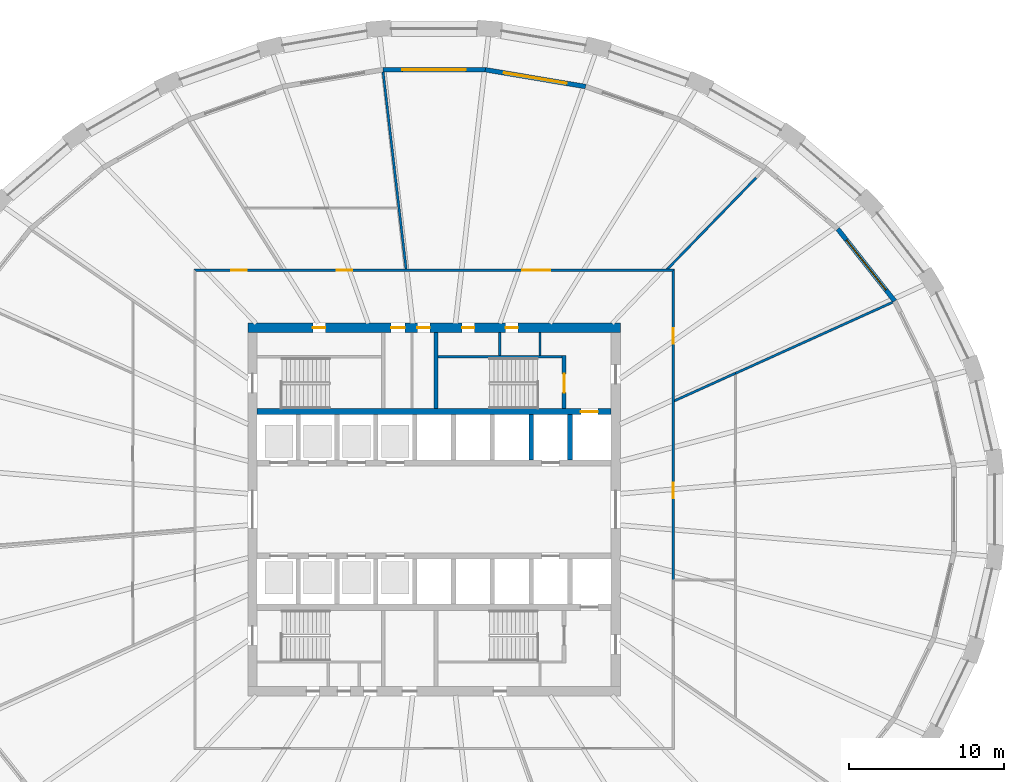
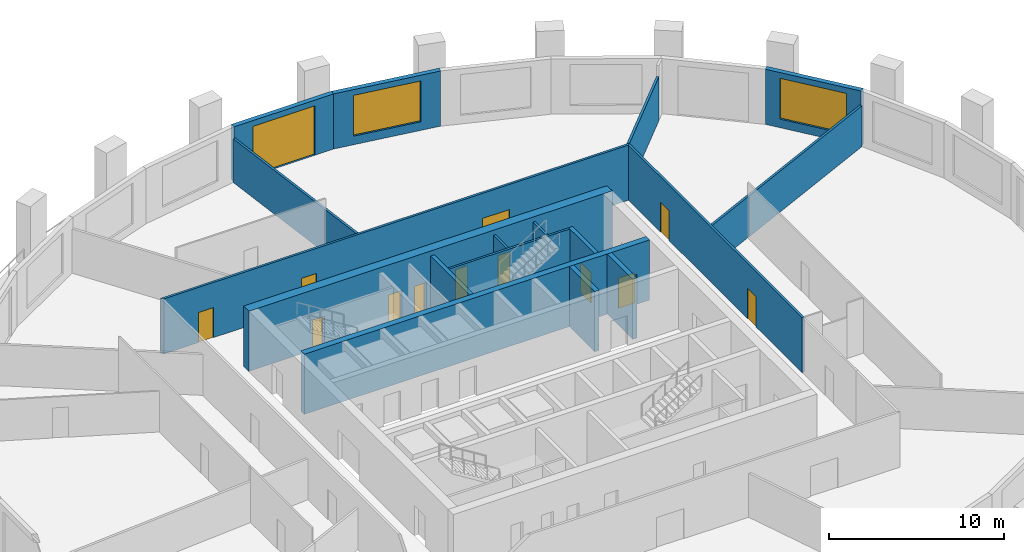
# One storey, part 6 of 10: 18 walls, 13 doors, 2 windows, 15 openings.
"""IFC4 building model written with IfcOpenShell, lengths in metres."""

from ifc_helpers import new_model, si_unit, direction, frame, frame_2d, origin, place, context, subcontext, project, spatial, polyline, rectangle, outline, extrude, material, layer, layer_set, type_object, element, fill, save


model = new_model("IFC4")

# Units and contexts
model_context = context("Model", 3, precision=1e-05, world=origin(), true_north=direction((0.0, 1.0)))
body_context = subcontext(model_context, "Body", "Model", "MODEL_VIEW")
ifc_project = project(units=[si_unit("LENGTHUNIT", "METRE"), si_unit("AREAUNIT", "SQUARE_METRE"), si_unit("VOLUMEUNIT", "CUBIC_METRE"), si_unit("PLANEANGLEUNIT", "RADIAN"), si_unit("MASSUNIT", "GRAM", prefix="KILO")], contexts=[model_context])

# Site, building, storey
site_placement = place(None, origin())
site = spatial("IfcSite", under=ifc_project, at=site_placement, CompositionType="ELEMENT")
building_placement = place(site_placement, origin())
building = spatial("IfcBuilding", under=site, at=building_placement, Name="Halqa Exchange Tower", CompositionType="ELEMENT")
storey_placement = place(building_placement, frame((0.0, 0.0, 94.89990234375)))
storey = spatial("IfcBuildingStorey", under=building, at=storey_placement, Name="L21", CompositionType="ELEMENT", Elevation=94.89990234375)

# Wall, openings, doors
ifc_material_1 = material(Name="Fire-rated gypsum board")
ifc_layer_1 = layer(ifc_material_1, 0.14990234375)
ifc_layer_set_1 = layer_set([ifc_layer_1], Name="Fire-rated gypsum board")
wall_type_1 = type_object("IfcWallType", Name="Fire partition EI 60 150", PredefinedType="PARTITIONING", material=ifc_layer_set_1)
wall_1_placement = place(storey_placement, frame((-15.47509765625, 15.39990234375, 0.0), z_axis=(0.0, 0.0, 1.0), x_axis=(1.0, 0.0, 0.0)))
wall_1 = element("IfcWall", 1, at=wall_1_placement, inside=storey, type_object=wall_type_1, Name="L21-PWL-011", PredefinedType="PARTITIONING", context=body_context, shape_type="SweptSolid", body=[
    extrude(outline(polyline([(0.150146484375, -0.074951171875), (2.065673828125, -0.074951171875), (3.9814453125, -0.074951171875), (5.89697265625, -0.074951171875), (7.8125, -0.074951171875), (9.728271484375, -0.074951171875), (11.643798828125, -0.074951171875), (13.5595703125, -0.074951171875), (15.47509765625, -0.074951171875), (17.390625, -0.074951171875), (19.306396484375, -0.074951171875), (21.221923828125, -0.074951171875), (23.1376953125, -0.074951171875), (25.05322265625, -0.074951171875), (26.96875, -0.074951171875), (28.884521484375, -0.074951171875), (30.800048828125, -0.074951171875), (30.949951171875, 0.074951171875), (29.015625, 0.074951171875), (27.081298828125, 0.074951171875), (25.14697265625, 0.074951171875), (23.21240234375, 0.074951171875), (21.278076171875, 0.074951171875), (19.34375, 0.074951171875), (17.409423828125, 0.074951171875), (15.47509765625, 0.074951171875), (13.540771484375, 0.074951171875), (11.6064453125, 0.074951171875), (9.672119140625, 0.074951171875), (7.73779296875, 0.074951171875), (5.80322265625, 0.074951171875), (3.868896484375, 0.074951171875), (1.9345703125, 0.074951171875), (0.000244140625, 0.074951171875), (0.150146484375, -0.074951171875)])), origin(), (0.0, 0.0, 1.0), 3.85009765625),
])
opening_1_placement = place(wall_1_placement, frame((21.155029296875, 0.0, 0.0)))
opening_1 = element("IfcOpeningElement", 2, at=opening_1_placement, cuts=wall_1, Name="Opening 06-04", PredefinedType="OPENING", context=body_context, shape_type="SweptSolid", body=[
    extrude(rectangle(XDim=1.800048828125, YDim=2.10009765625, at=frame_2d((0.89990234375, 1.050048828125))), frame((0.0, 0.0869140625, 0.0), z_axis=(0.0, -1.0, 0.0), x_axis=(1.0, 0.0, 0.0)), (0.0, 0.0, 1.0), 0.173828125),
])
opening_2_placement = place(wall_1_placement, frame((9.2099609375, 0.0, 0.0)))
opening_2 = element("IfcOpeningElement", 3, at=opening_2_placement, cuts=wall_1, Name="Opening 06-05", PredefinedType="OPENING", context=body_context, shape_type="SweptSolid", body=[
    extrude(rectangle(XDim=1.0, YDim=2.10009765625, at=frame_2d((0.5, 1.050048828125))), frame((0.0, 0.0869140625, 0.0), z_axis=(0.0, -1.0, 0.0), x_axis=(1.0, 0.0, 0.0)), (0.0, 0.0, 1.0), 0.173828125),
])
opening_3_placement = place(wall_1_placement, frame((2.405029296875, 0.0, 0.0)))
opening_3 = element("IfcOpeningElement", 4, at=opening_3_placement, cuts=wall_1, Name="Opening 06-06", PredefinedType="OPENING", context=body_context, shape_type="SweptSolid", body=[
    extrude(rectangle(XDim=1.0, YDim=2.10009765625, at=frame_2d((0.5, 1.050048828125))), frame((0.0, 0.0869140625, 0.0), z_axis=(0.0, -1.0, 0.0), x_axis=(1.0, 0.0, 0.0)), (0.0, 0.0, 1.0), 0.173828125),
])
ifc_material_2 = material(Name="Steel fire door leaf", Category="steel")
door_type_1 = type_object("IfcDoorType", Name="Fire door FD30S 1000 x 2100", OperationType="SINGLE_SWING_LEFT", PredefinedType="DOOR", material=ifc_material_2)
door_1_placement = place(opening_2_placement, origin())
door_1 = element("IfcDoor", 5, at=door_1_placement, inside=storey, type_object=door_type_1, Name="L21-IDR-005", OperationType="SINGLE_SWING_LEFT", OverallHeight=2.10009765625, OverallWidth=1.0, PredefinedType="DOOR", context=body_context, shape_type="SweptSolid", body=[
    extrude(rectangle(XDim=1.0, YDim=2.10009765625, at=frame_2d((0.5, 1.050048828125))), frame((0.0, 0.02490234375, 0.0), z_axis=(0.0, -1.0, 0.0), x_axis=(1.0, 0.0, 0.0)), (0.0, 0.0, 1.0), 0.050048828125),
])
fill(opening_2, door_1)
door_2_placement = place(opening_3_placement, origin())
door_2 = element("IfcDoor", 6, at=door_2_placement, inside=storey, type_object=door_type_1, Name="L21-IDR-006", OperationType="SINGLE_SWING_LEFT", OverallHeight=2.10009765625, OverallWidth=1.0, PredefinedType="DOOR", context=body_context, shape_type="SweptSolid", body=[
    extrude(rectangle(XDim=1.0, YDim=2.10009765625, at=frame_2d((0.5, 1.050048828125))), frame((0.0, 0.02490234375, 0.0), z_axis=(0.0, -1.0, 0.0), x_axis=(1.0, 0.0, 0.0)), (0.0, 0.0, 1.0), 0.050048828125),
])
fill(opening_3, door_2)
door_type_2 = type_object("IfcDoorType", Name="Fire door FD30S double 1800 x 2100", OperationType="DOUBLE_DOOR_SINGLE_SWING", PredefinedType="DOOR", material=ifc_material_2)
door_3_placement = place(opening_1_placement, origin())
door_3 = element("IfcDoor", 7, at=door_3_placement, inside=storey, type_object=door_type_2, Name="L21-IDR-004", OperationType="DOUBLE_DOOR_SINGLE_SWING", OverallHeight=2.10009765625, OverallWidth=1.800048828125, PredefinedType="DOOR", context=body_context, shape_type="SweptSolid", body=[
    extrude(rectangle(XDim=1.800048828125, YDim=2.10009765625, at=frame_2d((0.89990234375, 1.050048828125))), frame((0.0, 0.02490234375, 0.0), z_axis=(0.0, -1.0, 0.0), x_axis=(1.0, 0.0, 0.0)), (0.0, 0.0, 1.0), 0.050048828125),
])
fill(opening_1, door_3)

# Walls
wall_2_placement = place(storey_placement, frame((-3.2841796875, 28.16455078125, 0.0), z_axis=(0.0, 0.0, 1.0), x_axis=(0.116072244208, -0.993240773491, 0.0)))
element("IfcWall", 8, at=wall_2_placement, inside=storey, type_object=wall_type_1, Name="L21-PWL-013", PredefinedType="PARTITIONING", context=body_context, shape_type="SweptSolid", body=[
    extrude(outline(polyline([(0.0, -0.074951171875), (1.7529296875, -0.074951171875), (3.506103515625, -0.074951171875), (5.259033203125, -0.074951171875), (7.011962890625, -0.074951171875), (8.76513671875, -0.074951171875), (8.766357421875, -0.063720703125), (8.86181640625, -0.074951171875), (10.814453125, -0.074951171875), (12.76708984375, -0.074951171875), (12.7841796875, 0.07080078125), (12.7841796875, 0.074951171875), (10.95849609375, 0.074951171875), (9.1328125, 0.074951171875), (7.30712890625, 0.074951171875), (5.4814453125, 0.074951171875), (3.65576171875, 0.074951171875), (1.830078125, 0.074951171875), (0.00439453125, 0.074951171875), (0.0, 0.038330078125), (0.0, -0.074951171875)])), origin(), (0.0, 0.0, 1.0), 3.050048828125),
])
wall_3_placement = place(storey_placement, frame((14.972412109375, 15.423095703125, 0.0), z_axis=(0.0, 0.0, 1.0), x_axis=(0.696854208529, 0.717212808067, 0.0)))
element("IfcWall", 9, at=wall_3_placement, inside=storey, type_object=wall_type_1, Name="L21-PWL-015", PredefinedType="PARTITIONING", context=body_context, shape_type="SweptSolid", body=[
    extrude(outline(polyline([(0.0, 0.074951171875), (0.0, 0.074462890625), (0.145263671875, -0.074951171875), (1.77099609375, -0.074951171875), (3.39697265625, -0.074951171875), (5.022705078125, -0.074951171875), (6.648681640625, -0.074951171875), (8.2744140625, -0.074951171875), (8.2744140625, 0.074951171875), (6.61962890625, 0.074951171875), (4.964599609375, 0.074951171875), (3.309814453125, 0.074951171875), (1.65478515625, 0.074951171875), (0.0, 0.074951171875)])), origin(), (0.0, 0.0, 1.0), 3.080078125),
])

# Wall, openings, doors
wall_4_placement = place(storey_placement, frame((15.39990234375, -4.5400390625, 0.0), z_axis=(0.0, 0.0, 1.0), x_axis=(0.0, 1.0, 0.0)))
wall_4 = element("IfcWall", 10, at=wall_4_placement, inside=storey, type_object=wall_type_1, Name="L21-PWL-019", PredefinedType="PARTITIONING", context=body_context, shape_type="SweptSolid", body=[
    extrude(outline(polyline([(0.0, -0.074951171875), (1.819580078125, -0.074951171875), (3.63916015625, -0.074951171875), (5.45849609375, -0.074951171875), (7.278076171875, -0.074951171875), (9.09765625, -0.074951171875), (10.917236328125, -0.074951171875), (12.73681640625, -0.074951171875), (14.556396484375, -0.074951171875), (16.375732421875, -0.074951171875), (18.1953125, -0.074951171875), (20.014892578125, -0.074951171875), (19.864990234375, 0.074951171875), (17.87841796875, 0.074951171875), (15.89208984375, 0.074951171875), (13.905517578125, 0.074951171875), (11.9189453125, 0.074951171875), (9.9326171875, 0.074951171875), (7.946044921875, 0.074951171875), (5.95947265625, 0.074951171875), (3.972900390625, 0.074951171875), (1.986572265625, 0.074951171875), (0.0, 0.074951171875), (0.0, -0.074951171875)])), origin(), (0.0, 0.0, 1.0), 3.85009765625),
])
opening_4_placement = place(wall_4_placement, frame((5.25, 0.0, 0.0)))
opening_4 = element("IfcOpeningElement", 11, at=opening_4_placement, cuts=wall_4, Name="Opening 06-02", PredefinedType="OPENING", context=body_context, shape_type="SweptSolid", body=[
    extrude(rectangle(XDim=1.0, YDim=2.10009765625, at=frame_2d((0.5, 1.050048828125))), frame((0.0, 0.0869140625, 0.0), z_axis=(0.0, -1.0, 0.0), x_axis=(1.0, 0.0, 0.0)), (0.0, 0.0, 1.0), 0.173828125),
])
opening_5_placement = place(wall_4_placement, frame((15.219970703125, 0.0, 0.0)))
opening_5 = element("IfcOpeningElement", 12, at=opening_5_placement, cuts=wall_4, Name="Opening 06-03", PredefinedType="OPENING", context=body_context, shape_type="SweptSolid", body=[
    extrude(rectangle(XDim=1.0, YDim=2.10009765625, at=frame_2d((0.5, 1.050048828125))), frame((0.0, 0.0869140625, 0.0), z_axis=(0.0, -1.0, 0.0), x_axis=(1.0, 0.0, 0.0)), (0.0, 0.0, 1.0), 0.173828125),
])
door_4_placement = place(opening_4_placement, frame((1.0, 0.0, 0.0), z_axis=(0.0, 0.0, 1.0), x_axis=(-1.0, 0.0, 0.0)))
door_4 = element("IfcDoor", 13, at=door_4_placement, inside=storey, type_object=door_type_1, Name="L21-IDR-002", OperationType="SINGLE_SWING_LEFT", OverallHeight=2.10009765625, OverallWidth=1.0, PredefinedType="DOOR", context=body_context, shape_type="SweptSolid", body=[
    extrude(rectangle(XDim=1.0, YDim=2.10009765625, at=frame_2d((0.5, 1.050048828125))), frame((0.0, 0.02490234375, 0.0), z_axis=(0.0, -1.0, 0.0), x_axis=(1.0, 0.0, 0.0)), (0.0, 0.0, 1.0), 0.050048828125),
])
fill(opening_4, door_4)
door_5_placement = place(opening_5_placement, frame((1.0, 0.0, 0.0), z_axis=(0.0, 0.0, 1.0), x_axis=(-1.0, 0.0, 0.0)))
door_5 = element("IfcDoor", 14, at=door_5_placement, inside=storey, type_object=door_type_1, Name="L21-IDR-003", OperationType="SINGLE_SWING_LEFT", OverallHeight=2.10009765625, OverallWidth=1.0, PredefinedType="DOOR", context=body_context, shape_type="SweptSolid", body=[
    extrude(rectangle(XDim=1.0, YDim=2.10009765625, at=frame_2d((0.5, 1.050048828125))), frame((0.0, 0.02490234375, 0.0), z_axis=(0.0, -1.0, 0.0), x_axis=(1.0, 0.0, 0.0)), (0.0, 0.0, 1.0), 0.050048828125),
])
fill(opening_5, door_5)

# Walls
wall_5_placement = place(storey_placement, frame((15.444091796875, 6.97998046875, 0.0), z_axis=(0.0, 0.0, 1.0), x_axis=(0.911064178848, 0.412264553436, 0.0)))
element("IfcWall", 15, at=wall_5_placement, inside=storey, type_object=wall_type_1, Name="L21-PWL-021", PredefinedType="PARTITIONING", context=body_context, shape_type="SweptSolid", body=[
    extrude(outline(polyline([(0.0, -0.074951171875), (1.417724609375, -0.074951171875), (2.83544921875, -0.074951171875), (4.253173828125, -0.074951171875), (4.254150390625, -0.07275390625), (4.259033203125, -0.074951171875), (4.342041015625, -0.074951171875), (4.342041015625, 0.074951171875), (2.917236328125, 0.074951171875), (1.49267578125, 0.074951171875), (0.06787109375, 0.074951171875), (0.0, -0.074951171875)])), origin(), (0.0, 0.0, 1.0), 2.85009765625),
])
wall_6_placement = place(storey_placement, frame((19.404052734375, 8.761962890625, 0.0), z_axis=(0.0, 0.0, 1.0), x_axis=(0.911089862884, 0.41220778953, 0.0)))
element("IfcWall", 16, at=wall_6_placement, inside=storey, type_object=wall_type_1, Name="L21-PWL-023", PredefinedType="PARTITIONING", context=body_context, shape_type="SweptSolid", body=[
    extrude(outline(polyline([(11.12060546875, -0.074951171875), (11.12060546875, -0.0673828125), (11.11865234375, -0.00244140625), (11.099365234375, 0.074951171875), (9.24951171875, 0.074951171875), (7.399658203125, 0.074951171875), (5.549560546875, 0.074951171875), (3.69970703125, 0.074951171875), (1.849853515625, 0.074951171875), (0.0, 0.074951171875), (0.0, -0.068115234375), (0.015380859375, -0.074951171875), (1.8662109375, -0.074951171875), (3.717041015625, -0.074951171875), (5.56787109375, -0.074951171875), (7.4189453125, -0.074951171875), (9.269775390625, -0.074951171875), (11.12060546875, -0.074951171875)])), origin(), (0.0, 0.0, 1.0), 2.85009765625),
])
ifc_material_3 = material(Name="Gypsum board")
ifc_layer_2 = layer(ifc_material_3, 0.14990234375)
ifc_layer_set_2 = layer_set([ifc_layer_2], Name="Gypsum board")
wall_type_2 = type_object("IfcWallType", Name="Penthouse riser wall 150 gypsum", PredefinedType="PARTITIONING", material=ifc_layer_set_2)
for number, where, z_axis, x_axis, name in (
    (17, (4.22509765625, 9.89990234375, 0.0), (0.0, 0.0, 1.0), (0.0, 1.0, 0.0), "Partition E4.225 N"),
    (18, (6.824951171875, 9.89990234375, 0.0), (0.0, 0.0, 1.0), (0.0, 1.0, 0.0), "Firefighting lobby west wall N"),
):
    element("IfcWall", number, at=place(storey_placement, frame(where, z_axis=z_axis, x_axis=x_axis)), inside=storey, type_object=wall_type_2, Name=name, PredefinedType="PARTITIONING", context=body_context, shape_type="SweptSolid", body=[
        extrude(rectangle(XDim=1.5, YDim=0.14990234375, at=frame_2d((0.75, 0.0))), origin(), (0.0, 0.0, 1.0), 3.85009765625),
    ])
ifc_material_4 = material(Name="Concrete C60/75", Category="concrete")
ifc_layer_3 = layer(ifc_material_4, 0.300048828125)
ifc_layer_set_3 = layer_set([ifc_layer_3], Name="Concrete C60/75")
wall_type_3 = type_object("IfcWallType", Name="RC core wall 300", PredefinedType="SHEAR", material=ifc_layer_set_3)
for number, where, z_axis, x_axis, name in (
    (19, (6.25, 3.199951171875, 0.0), (0.0, 0.0, 1.0), (0.0, 1.0, 0.0), "Shaft divider N7"),
    (20, (8.75, 3.199951171875, 0.0), (0.0, 0.0, 1.0), (0.0, 1.0, 0.0), "Shaft divider N8"),
):
    element("IfcWall", number, at=place(storey_placement, frame(where, z_axis=z_axis, x_axis=x_axis)), inside=storey, type_object=wall_type_3, Name=name, PredefinedType="SHEAR", context=body_context, shape_type="SweptSolid", body=[
        extrude(rectangle(XDim=2.900146484375, YDim=0.300048828125, at=frame_2d((1.4501953125, 0.0))), origin(), (0.0, 0.0, 1.0), 4.2001953125),
    ])

# Wall, opening, door
ifc_material_5 = material(Name="Concrete C80/95", Category="concrete")
ifc_layer_4 = layer(ifc_material_5, 0.39990234375)
ifc_layer_set_4 = layer_set([ifc_layer_4], Name="Concrete C80/95")
wall_type_4 = type_object("IfcWallType", Name="RC core wall 400 C80/95", PredefinedType="SHEAR", material=ifc_layer_set_4)
wall_7_placement = place(storey_placement, frame((-11.39990234375, 6.300048828125, 0.0), z_axis=(0.0, 0.0, 1.0), x_axis=(1.0, 0.0, 0.0)))
wall_7 = element("IfcWall", 21, at=wall_7_placement, inside=storey, type_object=wall_type_4, Name="Lift row back wall N", PredefinedType="SHEAR", context=body_context, shape_type="SweptSolid", body=[
    extrude(rectangle(XDim=22.7998046875, YDim=0.39990234375, at=frame_2d((11.39990234375, 0.0))), origin(), (0.0, 0.0, 1.0), 4.2001953125),
])
opening_6_placement = place(wall_7_placement, frame((20.85009765625, 0.0, 0.0)))
opening_6 = element("IfcOpeningElement", 22, at=opening_6_placement, cuts=wall_7, Name="Opening LD-FF1-T06", PredefinedType="OPENING", context=body_context, shape_type="SweptSolid", body=[
    extrude(rectangle(XDim=1.10009765625, YDim=2.10009765625, at=frame_2d((0.550048828125, 1.050048828125))), frame((0.0, 0.2119140625, 0.0), z_axis=(0.0, -1.0, 0.0), x_axis=(1.0, 0.0, 0.0)), (0.0, 0.0, 1.0), 0.423828125),
])
ifc_material_6 = material(Name="Stainless steel", Category="steel")
door_type_3 = type_object("IfcDoorType", Name="Lift landing door 1100 x 2100", OperationType="SLIDING_TO_LEFT", PredefinedType="DOOR", material=ifc_material_6)
door_6_placement = place(opening_6_placement, origin())
door_6 = element("IfcDoor", 23, at=door_6_placement, inside=storey, type_object=door_type_3, Name="Lift landing door FF1", OperationType="SLIDING_TO_LEFT", OverallHeight=2.10009765625, OverallWidth=1.10009765625, PredefinedType="DOOR", context=body_context, shape_type="SweptSolid", body=[
    extrude(rectangle(XDim=1.10009765625, YDim=2.10009765625, at=frame_2d((0.550048828125, 1.050048828125))), frame((0.0, 0.02490234375, 0.0), z_axis=(0.0, -1.0, 0.0), x_axis=(1.0, 0.0, 0.0)), (0.0, 0.0, 1.0), 0.050048828125),
])
fill(opening_6, door_6)

# Wall, openings, doors
ifc_layer_5 = layer(ifc_material_5, 0.60009765625)
ifc_layer_set_5 = layer_set([ifc_layer_5], Name="Concrete C80/95")
wall_type_5 = type_object("IfcWallType", Name="RC core wall 600 C80/95", PredefinedType="SHEAR", material=ifc_layer_set_5)
wall_8_placement = place(storey_placement, frame((-12.0, 11.699951171875, 0.0), z_axis=(0.0, 0.0, 1.0), x_axis=(1.0, 0.0, 0.0)))
wall_8 = element("IfcWall", 24, at=wall_8_placement, inside=storey, type_object=wall_type_5, Name="Core wall north", PredefinedType="SHEAR", context=body_context, shape_type="SweptSolid", body=[
    extrude(rectangle(XDim=24.0, YDim=0.60009765625, at=frame_2d((12.0, 0.0))), origin(), (0.0, 0.0, 1.0), 4.2001953125),
])
opening_7_placement = place(wall_8_placement, frame((9.22509765625, 0.0, 0.0)))
opening_7 = element("IfcOpeningElement", 25, at=opening_7_placement, cuts=wall_8, Name="Opening T06-C21", PredefinedType="OPENING", context=body_context, shape_type="SweptSolid", body=[
    extrude(rectangle(XDim=0.89990234375, YDim=2.10009765625, at=frame_2d((0.449951171875, 1.050048828125))), frame((0.0, 0.31201171875, 0.0), z_axis=(0.0, -1.0, 0.0), x_axis=(1.0, 0.0, 0.0)), (0.0, 0.0, 1.0), 0.6240234375),
])
opening_8_placement = place(wall_8_placement, frame((10.925048828125, 0.0, 0.0)))
opening_8 = element("IfcOpeningElement", 26, at=opening_8_placement, cuts=wall_8, Name="Opening T06-C22", PredefinedType="OPENING", context=body_context, shape_type="SweptSolid", body=[
    extrude(rectangle(XDim=0.800048828125, YDim=2.10009765625, at=frame_2d((0.39990234375, 1.050048828125))), frame((0.0, 0.31201171875, 0.0), z_axis=(0.0, -1.0, 0.0), x_axis=(1.0, 0.0, 0.0)), (0.0, 0.0, 1.0), 0.6240234375),
])
opening_9_placement = place(wall_8_placement, frame((4.199951171875, 0.0, 0.0)))
opening_9 = element("IfcOpeningElement", 27, at=opening_9_placement, cuts=wall_8, Name="Opening T06-C23", PredefinedType="OPENING", context=body_context, shape_type="SweptSolid", body=[
    extrude(rectangle(XDim=0.800048828125, YDim=2.10009765625, at=frame_2d((0.39990234375, 1.050048828125))), frame((0.0, 0.31201171875, 0.0), z_axis=(0.0, -1.0, 0.0), x_axis=(1.0, 0.0, 0.0)), (0.0, 0.0, 1.0), 0.6240234375),
])
opening_10_placement = place(wall_8_placement, frame((13.800048828125, 0.0, 0.0)))
opening_10 = element("IfcOpeningElement", 28, at=opening_10_placement, cuts=wall_8, Name="Opening T06-C24", PredefinedType="OPENING", context=body_context, shape_type="SweptSolid", body=[
    extrude(rectangle(XDim=0.800048828125, YDim=2.10009765625, at=frame_2d((0.39990234375, 1.050048828125))), frame((0.0, 0.31201171875, 0.0), z_axis=(0.0, -1.0, 0.0), x_axis=(1.0, 0.0, 0.0)), (0.0, 0.0, 1.0), 0.6240234375),
])
opening_11_placement = place(wall_8_placement, frame((16.60009765625, 0.0, 0.0)))
opening_11 = element("IfcOpeningElement", 29, at=opening_11_placement, cuts=wall_8, Name="Opening T06-C25", PredefinedType="OPENING", context=body_context, shape_type="SweptSolid", body=[
    extrude(rectangle(XDim=0.800048828125, YDim=2.10009765625, at=frame_2d((0.39990234375, 1.050048828125))), frame((0.0, 0.31201171875, 0.0), z_axis=(0.0, -1.0, 0.0), x_axis=(1.0, 0.0, 0.0)), (0.0, 0.0, 1.0), 0.6240234375),
])
ifc_material_7 = material(Name="Timber fire door leaf", Category="wood")
door_type_4 = type_object("IfcDoorType", Name="Core room door FD30 900 x 2100", OperationType="SINGLE_SWING_LEFT", PredefinedType="DOOR", material=ifc_material_7)
door_7_placement = place(opening_7_placement, frame((0.89990234375, 0.0, 0.0), z_axis=(0.0, 0.0, 1.0), x_axis=(-1.0, 0.0, 0.0)))
door_7 = element("IfcDoor", 30, at=door_7_placement, inside=storey, type_object=door_type_4, Name="Core room door", OperationType="SINGLE_SWING_LEFT", OverallHeight=2.10009765625, OverallWidth=0.89990234375, PredefinedType="DOOR", context=body_context, shape_type="SweptSolid", body=[
    extrude(rectangle(XDim=0.89990234375, YDim=2.10009765625, at=frame_2d((0.449951171875, 1.050048828125))), frame((0.0, 0.02490234375, 0.0), z_axis=(0.0, -1.0, 0.0), x_axis=(1.0, 0.0, 0.0)), (0.0, 0.0, 1.0), 0.050048828125),
])
fill(opening_7, door_7)
door_type_5 = type_object("IfcDoorType", Name="Riser door FD60 800 x 2100", OperationType="SINGLE_SWING_LEFT", PredefinedType="DOOR", material=ifc_material_2)
door_8_placement = place(opening_8_placement, frame((0.800048828125, 0.0, 0.0), z_axis=(0.0, 0.0, 1.0), x_axis=(-1.0, 0.0, 0.0)))
door_8 = element("IfcDoor", 31, at=door_8_placement, inside=storey, type_object=door_type_5, Name="Core room door", OperationType="SINGLE_SWING_LEFT", OverallHeight=2.10009765625, OverallWidth=0.800048828125, PredefinedType="DOOR", context=body_context, shape_type="SweptSolid", body=[
    extrude(rectangle(XDim=0.800048828125, YDim=2.10009765625, at=frame_2d((0.39990234375, 1.050048828125))), frame((0.0, 0.02490234375, 0.0), z_axis=(0.0, -1.0, 0.0), x_axis=(1.0, 0.0, 0.0)), (0.0, 0.0, 1.0), 0.050048828125),
])
fill(opening_8, door_8)
door_9_placement = place(opening_9_placement, frame((0.800048828125, 0.0, 0.0), z_axis=(0.0, 0.0, 1.0), x_axis=(-1.0, 0.0, 0.0)))
door_9 = element("IfcDoor", 32, at=door_9_placement, inside=storey, type_object=door_type_5, Name="Core room door", OperationType="SINGLE_SWING_LEFT", OverallHeight=2.10009765625, OverallWidth=0.800048828125, PredefinedType="DOOR", context=body_context, shape_type="SweptSolid", body=[
    extrude(rectangle(XDim=0.800048828125, YDim=2.10009765625, at=frame_2d((0.39990234375, 1.050048828125))), frame((0.0, 0.02490234375, 0.0), z_axis=(0.0, -1.0, 0.0), x_axis=(1.0, 0.0, 0.0)), (0.0, 0.0, 1.0), 0.050048828125),
])
fill(opening_9, door_9)
door_10_placement = place(opening_10_placement, frame((0.800048828125, 0.0, 0.0), z_axis=(0.0, 0.0, 1.0), x_axis=(-1.0, 0.0, 0.0)))
door_10 = element("IfcDoor", 33, at=door_10_placement, inside=storey, type_object=door_type_5, Name="Core room door", OperationType="SINGLE_SWING_RIGHT", OverallHeight=2.10009765625, OverallWidth=0.800048828125, PredefinedType="DOOR", context=body_context, shape_type="SweptSolid", body=[
    extrude(rectangle(XDim=0.800048828125, YDim=2.10009765625, at=frame_2d((0.39990234375, 1.050048828125))), frame((0.0, 0.02490234375, 0.0), z_axis=(0.0, -1.0, 0.0), x_axis=(1.0, 0.0, 0.0)), (0.0, 0.0, 1.0), 0.050048828125),
])
fill(opening_10, door_10)
door_11_placement = place(opening_11_placement, frame((0.800048828125, 0.0, 0.0), z_axis=(0.0, 0.0, 1.0), x_axis=(-1.0, 0.0, 0.0)))
door_11 = element("IfcDoor", 34, at=door_11_placement, inside=storey, type_object=door_type_5, Name="Core room door", OperationType="SINGLE_SWING_LEFT", OverallHeight=2.10009765625, OverallWidth=0.800048828125, PredefinedType="DOOR", context=body_context, shape_type="SweptSolid", body=[
    extrude(rectangle(XDim=0.800048828125, YDim=2.10009765625, at=frame_2d((0.39990234375, 1.050048828125))), frame((0.0, 0.02490234375, 0.0), z_axis=(0.0, -1.0, 0.0), x_axis=(1.0, 0.0, 0.0)), (0.0, 0.0, 1.0), 0.050048828125),
])
fill(opening_11, door_11)

# Walls
ifc_material_8 = material(Name="Concrete C30/37", Category="concrete")
ifc_layer_6 = layer(ifc_material_8, 0.14990234375)
ifc_layer_set_6 = layer_set([ifc_layer_6], Name="Concrete C30/37")
wall_type_6 = type_object("IfcWallType", Name="RC stair wall 150 C30/37", PredefinedType="SHEAR", material=ifc_layer_set_6)
wall_9_placement = place(storey_placement, frame((0.25, 9.824951171875, 0.0), z_axis=(0.0, 0.0, 1.0), x_axis=(1.0, 0.0, 0.0)))
element("IfcWall", 35, at=wall_9_placement, inside=storey, type_object=wall_type_6, Name="Stair ST2 north wall N", PredefinedType="SHEAR", context=body_context, shape_type="SweptSolid", body=[
    extrude(rectangle(XDim=8.0, YDim=0.14990234375, at=frame_2d((4.0, 0.0))), origin(), (0.0, 0.0, 1.0), 3.85009765625),
])
ifc_layer_7 = layer(ifc_material_8, 0.25)
ifc_layer_set_7 = layer_set([ifc_layer_7], Name="Concrete C30/37")
wall_type_7 = type_object("IfcWallType", Name="RC stair wall 250 C30/37", PredefinedType="SHEAR", material=ifc_layer_set_7)
wall_10_placement = place(storey_placement, frame((0.125, 6.5, 0.0), z_axis=(0.0, 0.0, 1.0), x_axis=(0.0, 1.0, 0.0)))
element("IfcWall", 36, at=wall_10_placement, inside=storey, type_object=wall_type_7, Name="Stair ST2 west wall N", PredefinedType="SHEAR", context=body_context, shape_type="SweptSolid", body=[
    extrude(rectangle(XDim=4.89990234375, YDim=0.25, at=frame_2d((2.449951171875, 0.0))), origin(), (0.0, 0.0, 1.0), 3.85009765625),
])

# Wall, opening, door
wall_11_placement = place(storey_placement, frame((8.375, 6.5, 0.0), z_axis=(0.0, 0.0, 1.0), x_axis=(0.0, 1.0, 0.0)))
wall_11 = element("IfcWall", 37, at=wall_11_placement, inside=storey, type_object=wall_type_7, Name="Stair ST2 east wall N", PredefinedType="SHEAR", context=body_context, shape_type="SweptSolid", body=[
    extrude(rectangle(XDim=3.39990234375, YDim=0.25, at=frame_2d((1.699951171875, 0.0))), origin(), (0.0, 0.0, 1.0), 3.85009765625),
])
opening_12_placement = place(wall_11_placement, frame((1.02490234375, 0.0, 0.0)))
opening_12 = element("IfcOpeningElement", 38, at=opening_12_placement, cuts=wall_11, Name="Opening T06-C16", PredefinedType="OPENING", context=body_context, shape_type="SweptSolid", body=[
    extrude(rectangle(XDim=1.199951171875, YDim=2.10009765625, at=frame_2d((0.60009765625, 1.050048828125))), frame((0.0, 0.136962890625, 0.0), z_axis=(0.0, -1.0, 0.0), x_axis=(1.0, 0.0, 0.0)), (0.0, 0.0, 1.0), 0.27392578125),
])
door_type_6 = type_object("IfcDoorType", Name="Stair door FD90 1200 x 2100", OperationType="SINGLE_SWING_LEFT", PredefinedType="DOOR", material=ifc_material_2)
door_12_placement = place(opening_12_placement, origin())
door_12 = element("IfcDoor", 39, at=door_12_placement, inside=storey, type_object=door_type_6, Name="Stair door ST2", OperationType="SINGLE_SWING_RIGHT", OverallHeight=2.10009765625, OverallWidth=1.199951171875, PredefinedType="DOOR", context=body_context, shape_type="SweptSolid", body=[
    extrude(rectangle(XDim=1.199951171875, YDim=2.10009765625, at=frame_2d((0.60009765625, 1.050048828125))), frame((0.0, 0.02490234375, 0.0), z_axis=(0.0, -1.0, 0.0), x_axis=(1.0, 0.0, 0.0)), (0.0, 0.0, 1.0), 0.050048828125),
])
fill(opening_12, door_12)

# Wall, opening, window
ifc_material_9 = material(Name="Limestone cladding", Category="masonry")
ifc_layer_8 = layer(ifc_material_9, 0.0400390625)
ifc_material_10 = material(Name="Ventilated cavity")
ifc_layer_9 = layer(ifc_material_10, 0.030029296875, ventilated=True)
ifc_material_11 = material(Name="Mineral wool insulation")
ifc_layer_10 = layer(ifc_material_11, 0.10009765625)
ifc_layer_11 = layer(ifc_material_8, 0.10009765625)
ifc_material_12 = material(Name="Internal plaster")
ifc_layer_12 = layer(ifc_material_12, 0.030029296875)
ifc_layer_set_8 = layer_set([ifc_layer_8, ifc_layer_9, ifc_layer_10, ifc_layer_11, ifc_layer_12], Name="Stone-faced insulated wall 300")
wall_type_8 = type_object("IfcWallType", Name="Stone-faced insulated wall 300", PredefinedType="STANDARD", material=ifc_layer_set_8)
wall_12_placement = place(storey_placement, frame((29.66259765625, 13.42333984375, 0.0), z_axis=(0.0, 0.0, 1.0), x_axis=(-0.620142219764, 0.784489405452, 0.0)))
wall_12 = element("IfcWall", 40, at=wall_12_placement, inside=storey, type_object=wall_type_8, Name="Glass-line wall 3", PredefinedType="STANDARD", context=body_context, shape_type="SweptSolid", body=[
    extrude(outline(polyline([(-0.01611328125, -0.14990234375), (5.927490234375, -0.14990234375), (5.897216796875, 0.14990234375), (0.01611328125, 0.14990234375), (-0.01611328125, -0.14990234375)])), origin(), (0.0, 0.0, 1.0), 3.85009765625),
])
opening_13_placement = place(wall_12_placement, frame((0.90625, 0.0, 0.60009765625)))
opening_13 = element("IfcOpeningElement", 41, at=opening_13_placement, cuts=wall_12, Name="Opening W-F1-03", PredefinedType="OPENING", context=body_context, shape_type="SweptSolid", body=[
    extrude(rectangle(XDim=4.10009765625, YDim=2.85009765625, at=frame_2d((2.050048828125, 1.425048828125))), frame((0.0, 0.162109375, 0.0), z_axis=(0.0, -1.0, 0.0), x_axis=(1.0, 0.0, 0.0)), (0.0, 0.0, 1.0), 0.323974609375),
])
ifc_material_13 = material(Name="Clear low-emissivity glass in aluminium frame", Category="aluminium")
window_type = type_object("IfcWindowType", Name="Fixed clear glazed window 4100 x 2850", PartitioningType="TRIPLE_PANEL_VERTICAL", PredefinedType="WINDOW", material=ifc_material_13)
window_1_placement = place(opening_13_placement, origin())
window_1 = element("IfcWindow", 42, at=window_1_placement, inside=storey, type_object=window_type, Name="Window 1", OverallHeight=2.85009765625, OverallWidth=4.10009765625, PartitioningType="TRIPLE_PANEL_VERTICAL", PredefinedType="WINDOW", context=body_context, shape_type="SweptSolid", body=[
    extrude(rectangle(XDim=4.10009765625, YDim=2.85009765625, at=frame_2d((2.050048828125, 1.425048828125))), frame((0.0, 0.030029296875, 0.0), z_axis=(0.0, -1.0, 0.0), x_axis=(1.0, 0.0, 0.0)), (0.0, 0.0, 1.0), 0.06005859375),
])
fill(opening_13, window_1)

wall_13_placement = place(storey_placement, frame((9.759033203125, 27.232421875, 0.0), z_axis=(0.0, 0.0, 1.0), x_axis=(-0.986162431544, 0.165781961053, 0.0)))
wall_13 = element("IfcWall", 43, at=wall_13_placement, inside=storey, type_object=wall_type_8, Name="Glass-line wall 7", PredefinedType="STANDARD", context=body_context, shape_type="SweptSolid", body=[
    extrude(outline(polyline([(-0.0126953125, -0.14990234375), (6.5673828125, -0.14990234375), (6.54248046875, 0.14990234375), (0.0126953125, 0.14990234375), (-0.0126953125, -0.14990234375)])), origin(), (0.0, 0.0, 1.0), 3.85009765625),
])
opening_14_placement = place(wall_13_placement, frame((1.227294921875, 0.0, 0.60009765625)))
opening_14 = element("IfcOpeningElement", 44, at=opening_14_placement, cuts=wall_13, Name="Opening W-F1-07", PredefinedType="OPENING", context=body_context, shape_type="SweptSolid", body=[
    extrude(rectangle(XDim=4.10009765625, YDim=2.85009765625, at=frame_2d((2.050048828125, 1.425048828125))), frame((0.0, 0.162109375, 0.0), z_axis=(0.0, -1.0, 0.0), x_axis=(1.0, 0.0, 0.0)), (0.0, 0.0, 1.0), 0.323974609375),
])
window_2_placement = place(opening_14_placement, origin())
window_2 = element("IfcWindow", 45, at=window_2_placement, inside=storey, type_object=window_type, Name="Window 1", OverallHeight=2.85009765625, OverallWidth=4.10009765625, PartitioningType="TRIPLE_PANEL_VERTICAL", PredefinedType="WINDOW", context=body_context, shape_type="SweptSolid", body=[
    extrude(rectangle(XDim=4.10009765625, YDim=2.85009765625, at=frame_2d((2.050048828125, 1.425048828125))), frame((0.0, 0.030029296875, 0.0), z_axis=(0.0, -1.0, 0.0), x_axis=(1.0, 0.0, 0.0)), (0.0, 0.0, 1.0), 0.06005859375),
])
fill(opening_14, window_2)

# Wall, opening, door
wall_14_placement = place(storey_placement, frame((3.294921875, 28.319091796875, 0.0), z_axis=(0.0, 0.0, 1.0), x_axis=(-1.0, 0.0, 0.0)))
wall_14 = element("IfcWall", 46, at=wall_14_placement, inside=storey, type_object=wall_type_8, Name="Glass-line wall 8", PredefinedType="STANDARD", context=body_context, shape_type="SweptSolid", body=[
    extrude(outline(polyline([(-0.012451171875, -0.14990234375), (6.602294921875, -0.14990234375), (6.577392578125, 0.14990234375), (0.012451171875, 0.14990234375), (-0.012451171875, -0.14990234375)])), origin(), (0.0, 0.0, 1.0), 3.85009765625),
])
opening_15_placement = place(wall_14_placement, frame((1.2451171875, 0.0, 0.0)))
opening_15 = element("IfcOpeningElement", 47, at=opening_15_placement, cuts=wall_14, Name="Opening LG-F1-02", PredefinedType="OPENING", context=body_context, shape_type="SweptSolid", body=[
    extrude(rectangle(XDim=4.10009765625, YDim=3.449951171875, at=frame_2d((2.050048828125, 1.72509765625))), frame((0.0, 0.162109375, 0.0), z_axis=(0.0, -1.0, 0.0), x_axis=(1.0, 0.0, 0.0)), (0.0, 0.0, 1.0), 0.323974609375),
])
door_type_7 = type_object("IfcDoorType", Name="Glazed sliding loggia door 4100 x 3450", OperationType="DOUBLE_DOOR_SLIDING", PredefinedType="DOOR", material=ifc_material_13)
door_13_placement = place(opening_15_placement, origin())
door_13 = element("IfcDoor", 48, at=door_13_placement, inside=storey, type_object=door_type_7, Name="Loggia door 2", OperationType="DOUBLE_DOOR_SLIDING", OverallHeight=3.449951171875, OverallWidth=4.10009765625, PredefinedType="DOOR", context=body_context, shape_type="SweptSolid", body=[
    extrude(rectangle(XDim=4.10009765625, YDim=3.449951171875, at=frame_2d((2.050048828125, 1.72509765625))), frame((0.0, 0.02490234375, 0.0), z_axis=(0.0, -1.0, 0.0), x_axis=(1.0, 0.0, 0.0)), (0.0, 0.0, 1.0), 0.050048828125),
])
fill(opening_15, door_13)

save(model, "model.ifc")
